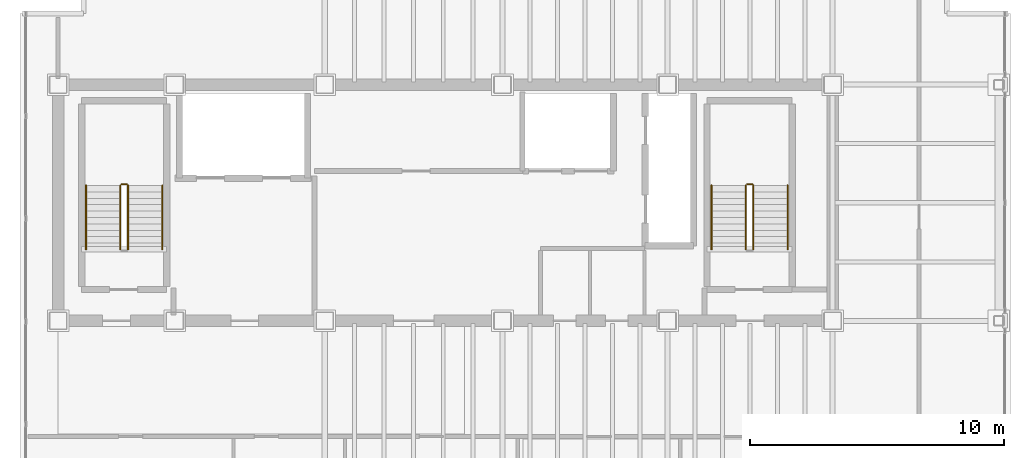
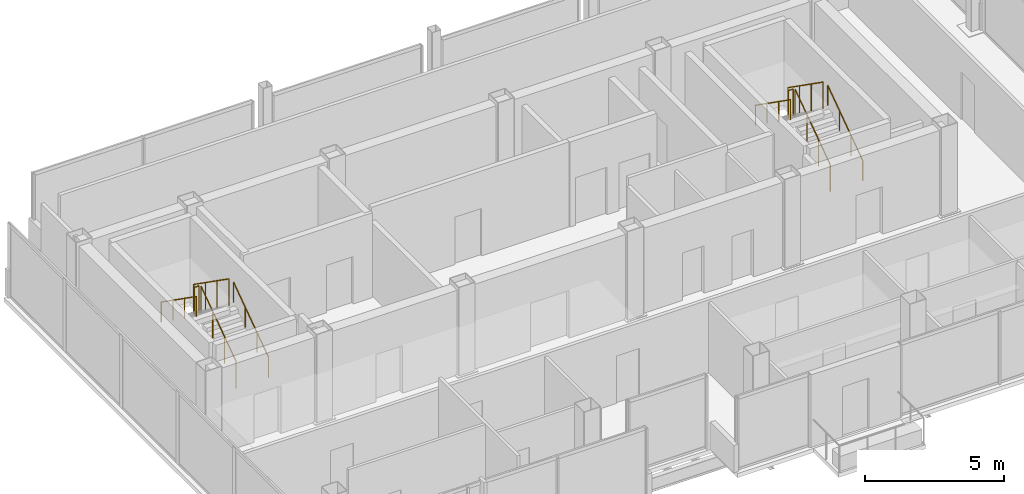
# One storey, part 17 of 17: 10 railings.
"""IFC4 building model written with IfcOpenShell, lengths in metres."""

from ifc_helpers import new_model, si_unit, direction, frame, origin, origin_2d, place, context, subcontext, project, spatial, circle, extrude, material, layer, layer_set, type_object, element, save


model = new_model("IFC4")

# Units and contexts
model_context = context("Model", 3, precision=1e-05, world=origin(), true_north=direction((0.0, 1.0)))
body_context = subcontext(model_context, "Body", "Model", "MODEL_VIEW")
ifc_project = project(units=[si_unit("LENGTHUNIT", "METRE"), si_unit("AREAUNIT", "SQUARE_METRE"), si_unit("VOLUMEUNIT", "CUBIC_METRE"), si_unit("PLANEANGLEUNIT", "RADIAN"), si_unit("MASSUNIT", "GRAM", prefix="KILO")], contexts=[model_context])

# Site, building, storey
site_placement = place(None, origin())
site = spatial("IfcSite", under=ifc_project, at=site_placement, CompositionType="ELEMENT")
building_placement = place(site_placement, origin())
building = spatial("IfcBuilding", under=site, at=building_placement, Name="Noeulbin Bourse Tower", CompositionType="ELEMENT")
storey_placement = place(building_placement, frame((0.0, 0.0, 293.0)))
storey = spatial("IfcBuildingStorey", under=building, at=storey_placement, Name="L73", CompositionType="ELEMENT", Elevation=293.0)

# Railings
ifc_material_1 = material(Name="Painted Tubular Steel S355", Category="steel")
ifc_layer_1 = layer(ifc_material_1, 0.048095703125)
ifc_layer_set_1 = layer_set([ifc_layer_1], Name="Painted Tubular Steel S355")
railing_type_1 = type_object("IfcRailingType", Name="RLG-STR-GRD", PredefinedType="GUARDRAIL", material=ifc_layer_set_1)
railing_1_placement = place(storey_placement, frame((16.25, 31.81005859375, 0.17724609375)))
element("IfcRailing", 1, at=railing_1_placement, inside=storey, type_object=railing_type_1, Name="L73 ST-1 stair guard 1", PredefinedType="GUARDRAIL", context=body_context, shape_type="SweptSolid", body=[
    extrude(circle(Radius=0.02392578125, at=origin_2d()), frame((0.0, 0.0, 1.17578125), z_axis=(0.0, 0.817904474719, 0.575354039036), x_axis=(-1.0, 0.0, 0.0)), (0.0, 0.0, 1.0), 3.0810546875),
    extrude(circle(Radius=0.02099609375, at=origin_2d()), origin(), (0.0, 0.0, 1.0), 1.15185546875),
    extrude(circle(Radius=0.02099609375, at=origin_2d()), frame((0.0, 0.840087890625, 0.5908203125)), (0.0, 0.0, 1.0), 1.15185546875),
    extrude(circle(Radius=0.02099609375, at=origin_2d()), frame((0.0, 1.679931640625, 1.181884765625)), (0.0, 0.0, 1.0), 1.15185546875),
    extrude(circle(Radius=0.02099609375, at=origin_2d()), frame((0.0, 2.52001953125, 1.772705078125)), (0.0, 0.0, 1.0), 1.15185546875),
])
railing_2_placement = place(storey_placement, frame((16.199951171875, 34.3798828125, 1.949951171875)))
element("IfcRailing", 2, at=railing_2_placement, inside=storey, type_object=railing_type_1, Name="L73 ST-1 stair guard 2", PredefinedType="GUARDRAIL", context=body_context, shape_type="SweptSolid", body=[
    extrude(circle(Radius=0.02392578125, at=origin_2d()), frame((0.0, 0.0, 1.17578125), z_axis=(-1.0, 0.0, 0.0), x_axis=(0.0, -1.0, 0.0)), (0.0, 0.0, 1.0), 0.199951171875),
    extrude(circle(Radius=0.02099609375, at=origin_2d()), origin(), (0.0, 0.0, 1.0), 1.15185546875),
    extrude(circle(Radius=0.02099609375, at=origin_2d()), frame((-0.199951171875, 0.0, 0.0)), (0.0, 0.0, 1.0), 1.15185546875),
])
railing_3_placement = place(storey_placement, frame((15.949951171875, 34.330078125, 2.127197265625)))
element("IfcRailing", 3, at=railing_3_placement, inside=storey, type_object=railing_type_1, Name="L73 ST-1 stair guard 3", PredefinedType="GUARDRAIL", context=body_context, shape_type="SweptSolid", body=[
    extrude(circle(Radius=0.02392578125, at=origin_2d()), frame((0.0, 0.0, 1.17578125), z_axis=(0.0, -0.817904474719, 0.575354039036), x_axis=(1.0, 0.0, 0.0)), (0.0, 0.0, 1.0), 3.0810546875),
    extrude(circle(Radius=0.02099609375, at=origin_2d()), origin(), (0.0, 0.0, 1.0), 1.15185546875),
    extrude(circle(Radius=0.02099609375, at=origin_2d()), frame((0.0, -0.840087890625, 0.5908203125)), (0.0, 0.0, 1.0), 1.15185546875),
    extrude(circle(Radius=0.02099609375, at=origin_2d()), frame((0.0, -1.679931640625, 1.181884765625)), (0.0, 0.0, 1.0), 1.15185546875),
    extrude(circle(Radius=0.02099609375, at=origin_2d()), frame((0.0, -2.52001953125, 1.772705078125)), (0.0, 0.0, 1.0), 1.15185546875),
])
railing_4_placement = place(storey_placement, frame((40.8798828125, 31.81005859375, 0.17724609375)))
element("IfcRailing", 4, at=railing_4_placement, inside=storey, type_object=railing_type_1, Name="L73 ST-2 stair guard 1", PredefinedType="GUARDRAIL", context=body_context, shape_type="SweptSolid", body=[
    extrude(circle(Radius=0.02392578125, at=origin_2d()), frame((0.0, 0.0, 1.17578125), z_axis=(0.0, 0.817904474719, 0.575354039036), x_axis=(-1.0, 0.0, 0.0)), (0.0, 0.0, 1.0), 3.0810546875),
    extrude(circle(Radius=0.02099609375, at=origin_2d()), origin(), (0.0, 0.0, 1.0), 1.15185546875),
    extrude(circle(Radius=0.02099609375, at=origin_2d()), frame((0.0, 0.840087890625, 0.5908203125)), (0.0, 0.0, 1.0), 1.15185546875),
    extrude(circle(Radius=0.02099609375, at=origin_2d()), frame((0.0, 1.679931640625, 1.181884765625)), (0.0, 0.0, 1.0), 1.15185546875),
    extrude(circle(Radius=0.02099609375, at=origin_2d()), frame((0.0, 2.52001953125, 1.772705078125)), (0.0, 0.0, 1.0), 1.15185546875),
])
railing_5_placement = place(storey_placement, frame((40.830078125, 34.3798828125, 1.949951171875)))
element("IfcRailing", 5, at=railing_5_placement, inside=storey, type_object=railing_type_1, Name="L73 ST-2 stair guard 2", PredefinedType="GUARDRAIL", context=body_context, shape_type="SweptSolid", body=[
    extrude(circle(Radius=0.02392578125, at=origin_2d()), frame((0.0, 0.0, 1.17578125), z_axis=(-1.0, 0.0, 0.0), x_axis=(0.0, -1.0, 0.0)), (0.0, 0.0, 1.0), 0.2001953125),
    extrude(circle(Radius=0.02099609375, at=origin_2d()), origin(), (0.0, 0.0, 1.0), 1.15185546875),
    extrude(circle(Radius=0.02099609375, at=origin_2d()), frame((-0.2001953125, 0.0, 0.0)), (0.0, 0.0, 1.0), 1.15185546875),
])
railing_6_placement = place(storey_placement, frame((40.580078125, 34.330078125, 2.127197265625)))
element("IfcRailing", 6, at=railing_6_placement, inside=storey, type_object=railing_type_1, Name="L73 ST-2 stair guard 3", PredefinedType="GUARDRAIL", context=body_context, shape_type="SweptSolid", body=[
    extrude(circle(Radius=0.02392578125, at=origin_2d()), frame((0.0, 0.0, 1.17578125), z_axis=(0.0, -0.817904474719, 0.575354039036), x_axis=(1.0, 0.0, 0.0)), (0.0, 0.0, 1.0), 3.0810546875),
    extrude(circle(Radius=0.02099609375, at=origin_2d()), origin(), (0.0, 0.0, 1.0), 1.15185546875),
    extrude(circle(Radius=0.02099609375, at=origin_2d()), frame((0.0, -0.840087890625, 0.5908203125)), (0.0, 0.0, 1.0), 1.15185546875),
    extrude(circle(Radius=0.02099609375, at=origin_2d()), frame((0.0, -1.679931640625, 1.181884765625)), (0.0, 0.0, 1.0), 1.15185546875),
    extrude(circle(Radius=0.02099609375, at=origin_2d()), frame((0.0, -2.52001953125, 1.772705078125)), (0.0, 0.0, 1.0), 1.15185546875),
])
ifc_material_2 = material(Name="Brushed Stainless Steel 316", Category="steel")
ifc_layer_2 = layer(ifc_material_2, 0.048095703125)
ifc_layer_set_2 = layer_set([ifc_layer_2], Name="Brushed Stainless Steel 316")
railing_type_2 = type_object("IfcRailingType", Name="RLG-STR-HND", PredefinedType="HANDRAIL", material=ifc_layer_set_2)
railing_7_placement = place(storey_placement, frame((17.60009765625, 31.81005859375, 0.17724609375)))
element("IfcRailing", 7, at=railing_7_placement, inside=storey, type_object=railing_type_2, Name="L73 ST-1 stair handrail 1", PredefinedType="HANDRAIL", context=body_context, shape_type="SweptSolid", body=[
    extrude(circle(Radius=0.02392578125, at=origin_2d()), frame((0.0, 0.0, 0.8759765625), z_axis=(0.0, 0.817904474719, 0.575354039036), x_axis=(-1.0, 0.0, 0.0)), (0.0, 0.0, 1.0), 3.0810546875),
    extrude(circle(Radius=0.02099609375, at=origin_2d()), origin(), (0.0, 0.0, 1.0), 0.851806640625),
    extrude(circle(Radius=0.02099609375, at=origin_2d()), frame((0.0, 0.840087890625, 0.5908203125)), (0.0, 0.0, 1.0), 0.851806640625),
    extrude(circle(Radius=0.02099609375, at=origin_2d()), frame((0.0, 1.679931640625, 1.181884765625)), (0.0, 0.0, 1.0), 0.851806640625),
    extrude(circle(Radius=0.02099609375, at=origin_2d()), frame((0.0, 2.52001953125, 1.772705078125)), (0.0, 0.0, 1.0), 0.851806640625),
])
railing_8_placement = place(storey_placement, frame((14.60009765625, 34.330078125, 2.127197265625)))
element("IfcRailing", 8, at=railing_8_placement, inside=storey, type_object=railing_type_2, Name="L73 ST-1 stair handrail 2", PredefinedType="HANDRAIL", context=body_context, shape_type="SweptSolid", body=[
    extrude(circle(Radius=0.02392578125, at=origin_2d()), frame((0.0, 0.0, 0.8759765625), z_axis=(0.0, -0.817904474719, 0.575354039036), x_axis=(1.0, 0.0, 0.0)), (0.0, 0.0, 1.0), 3.0810546875),
    extrude(circle(Radius=0.02099609375, at=origin_2d()), origin(), (0.0, 0.0, 1.0), 0.851806640625),
    extrude(circle(Radius=0.02099609375, at=origin_2d()), frame((0.0, -0.840087890625, 0.5908203125)), (0.0, 0.0, 1.0), 0.851806640625),
    extrude(circle(Radius=0.02099609375, at=origin_2d()), frame((0.0, -1.679931640625, 1.181884765625)), (0.0, 0.0, 1.0), 0.851806640625),
    extrude(circle(Radius=0.02099609375, at=origin_2d()), frame((0.0, -2.52001953125, 1.772705078125)), (0.0, 0.0, 1.0), 0.851806640625),
])
railing_9_placement = place(storey_placement, frame((42.22998046875, 31.81005859375, 0.17724609375)))
element("IfcRailing", 9, at=railing_9_placement, inside=storey, type_object=railing_type_2, Name="L73 ST-2 stair handrail 1", PredefinedType="HANDRAIL", context=body_context, shape_type="SweptSolid", body=[
    extrude(circle(Radius=0.02392578125, at=origin_2d()), frame((0.0, 0.0, 0.8759765625), z_axis=(0.0, 0.817904474719, 0.575354039036), x_axis=(-1.0, 0.0, 0.0)), (0.0, 0.0, 1.0), 3.0810546875),
    extrude(circle(Radius=0.02099609375, at=origin_2d()), origin(), (0.0, 0.0, 1.0), 0.851806640625),
    extrude(circle(Radius=0.02099609375, at=origin_2d()), frame((0.0, 0.840087890625, 0.5908203125)), (0.0, 0.0, 1.0), 0.851806640625),
    extrude(circle(Radius=0.02099609375, at=origin_2d()), frame((0.0, 1.679931640625, 1.181884765625)), (0.0, 0.0, 1.0), 0.851806640625),
    extrude(circle(Radius=0.02099609375, at=origin_2d()), frame((0.0, 2.52001953125, 1.772705078125)), (0.0, 0.0, 1.0), 0.851806640625),
])
railing_10_placement = place(storey_placement, frame((39.22998046875, 34.330078125, 2.127197265625)))
element("IfcRailing", 10, at=railing_10_placement, inside=storey, type_object=railing_type_2, Name="L73 ST-2 stair handrail 2", PredefinedType="HANDRAIL", context=body_context, shape_type="SweptSolid", body=[
    extrude(circle(Radius=0.02392578125, at=origin_2d()), frame((0.0, 0.0, 0.8759765625), z_axis=(0.0, -0.817904474719, 0.575354039036), x_axis=(1.0, 0.0, 0.0)), (0.0, 0.0, 1.0), 3.0810546875),
    extrude(circle(Radius=0.02099609375, at=origin_2d()), origin(), (0.0, 0.0, 1.0), 0.851806640625),
    extrude(circle(Radius=0.02099609375, at=origin_2d()), frame((0.0, -0.840087890625, 0.5908203125)), (0.0, 0.0, 1.0), 0.851806640625),
    extrude(circle(Radius=0.02099609375, at=origin_2d()), frame((0.0, -1.679931640625, 1.181884765625)), (0.0, 0.0, 1.0), 0.851806640625),
    extrude(circle(Radius=0.02099609375, at=origin_2d()), frame((0.0, -2.52001953125, 1.772705078125)), (0.0, 0.0, 1.0), 0.851806640625),
])

save(model, "model.ifc")
